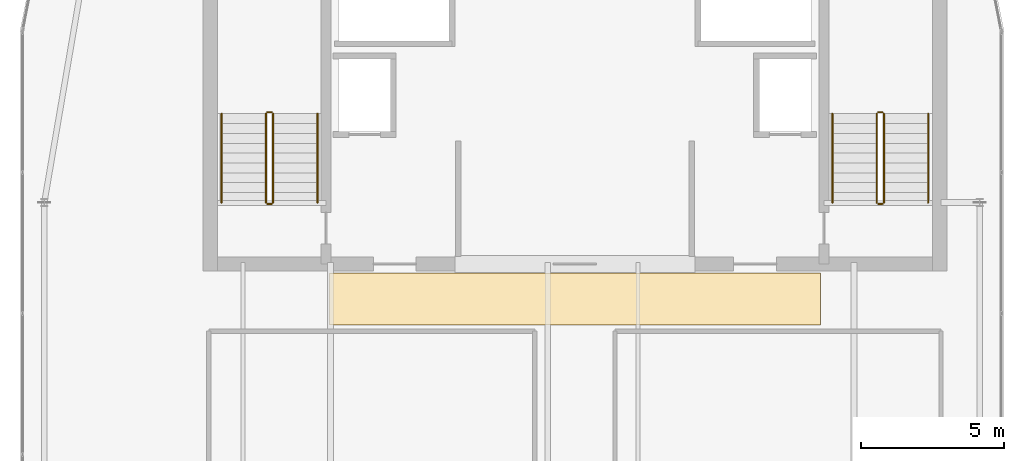
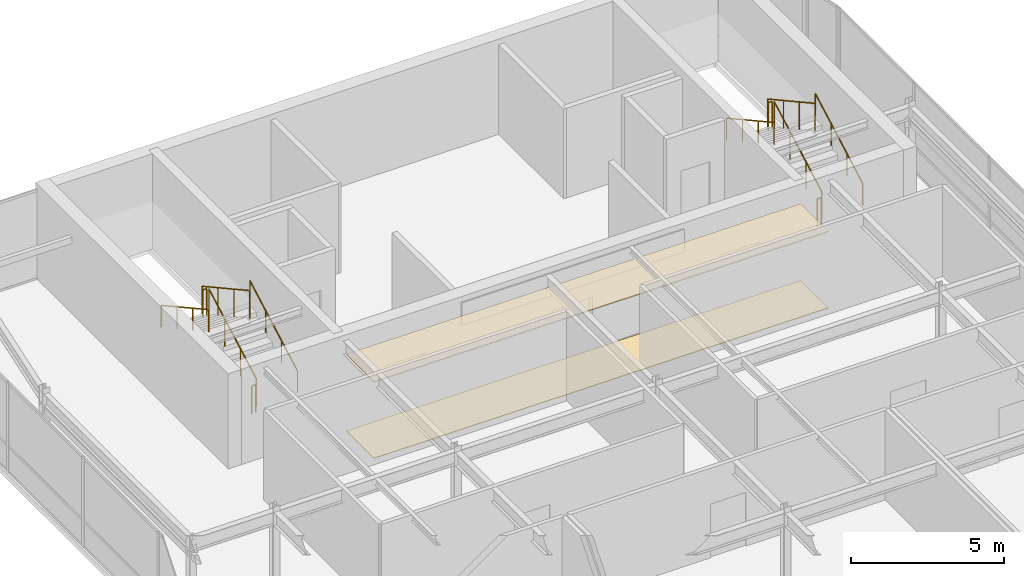
# One storey, part 36 of 36: 12 railings, 2 coverings.
"""IFC4 building model written with IfcOpenShell, lengths in metres."""

from ifc_helpers import new_model, si_unit, direction, frame, origin, origin_2d, place, context, subcontext, project, spatial, polyline, circle, outline, extrude, material, layer, layer_set, type_object, element, save


model = new_model("IFC4")

# Units and contexts
model_context = context("Model", 3, precision=1e-05, world=origin(), true_north=direction((0.0, 1.0)))
body_context = subcontext(model_context, "Body", "Model", "MODEL_VIEW")
ifc_project = project(units=[si_unit("LENGTHUNIT", "METRE"), si_unit("AREAUNIT", "SQUARE_METRE"), si_unit("VOLUMEUNIT", "CUBIC_METRE"), si_unit("PLANEANGLEUNIT", "RADIAN"), si_unit("MASSUNIT", "GRAM", prefix="KILO")], contexts=[model_context])

# Site, building, storey
site_placement = place(None, origin())
site = spatial("IfcSite", under=ifc_project, at=site_placement, CompositionType="ELEMENT")
building_placement = place(site_placement, origin())
building = spatial("IfcBuilding", under=site, at=building_placement, Name="Tolvann Quenvar Hotel", CompositionType="ELEMENT")
storey_placement = place(building_placement, frame((0.0, 0.0, 306.14990234375)))
storey = spatial("IfcBuildingStorey", under=building, at=storey_placement, Name="L81", CompositionType="ELEMENT", Elevation=306.14990234375)

# Coverings
ifc_material_1 = material(Name="Micro-perforated acoustic mineral-fibre and timber-batten suspended ceiling", Category="wood")
ifc_layer_1 = layer(ifc_material_1, 0.0400390625)
ifc_layer_set_1 = layer_set([ifc_layer_1], Name="Micro-perforated acoustic mineral-fibre and timber-batten suspended ceiling")
covering_type_1 = type_object("IfcCoveringType", Name="COV_CEIL_ACOUSTIC_40", PredefinedType="CEILING", material=ifc_layer_set_1)
covering_1_placement = place(storey_placement, frame((0.0, 0.0, 3.0400390625)))
element("IfcCovering", 1, at=covering_1_placement, inside=storey, type_object=covering_type_1, Name="Suspended Acoustic Ceiling (Upper Lantern Core Stair Vestibule L81)", PredefinedType="CEILING", context=body_context, shape_type="SweptSolid", body=[
    extrude(outline(polyline([(14.419921875, 29.719970703125), (31.580078125, 29.719970703125), (31.580078125, 31.530029296875), (14.419921875, 31.530029296875), (14.419921875, 29.719970703125)])), origin(), (0.0, 0.0, 1.0), 0.0400390625),
])
ifc_material_2 = material(Name="Honed Australian bluestone, terrazzo and engineered oak flooring", Category="masonry")
ifc_layer_2 = layer(ifc_material_2, 0.02001953125)
ifc_layer_set_2 = layer_set([ifc_layer_2], Name="Honed Australian bluestone, terrazzo and engineered oak flooring")
covering_type_2 = type_object("IfcCoveringType", Name="COV_FLOOR_STONE_20", PredefinedType="FLOORING", material=ifc_layer_set_2)
covering_2_placement = place(storey_placement, origin())
element("IfcCovering", 2, at=covering_2_placement, inside=storey, type_object=covering_type_2, Name="Architectural Floor Finish (Upper Lantern Core Stair Vestibule L81)", PredefinedType="FLOORING", context=body_context, shape_type="SweptSolid", body=[
    extrude(outline(polyline([(14.419921875, 29.719970703125), (31.580078125, 29.719970703125), (31.580078125, 31.530029296875), (14.419921875, 31.530029296875), (14.419921875, 29.719970703125)])), origin(), (0.0, 0.0, 1.0), 0.02001953125),
])

# Railings
ifc_material_3 = material(Name="Brushed 316 stainless steel balustrade and handrail", Category="steel")
railing_type_1 = type_object("IfcRailingType", Name="GUARDRAIL", PredefinedType="GUARDRAIL", material=ifc_material_3)
railing_1_placement = place(storey_placement, frame((12.449951171875, 34.0, 0.190185546875)))
element("IfcRailing", 3, at=railing_1_placement, inside=storey, type_object=railing_type_1, Name="L81 ST-C1 stair guard 1", PredefinedType="GUARDRAIL", context=body_context, shape_type="SweptSolid", body=[
    extrude(circle(Radius=0.02392578125, at=origin_2d()), frame((0.0, 0.0, 1.09619140625), z_axis=(0.0, 0.875951117098, 0.482399876093), x_axis=(-1.0, 0.0, 0.0)), (0.0, 0.0, 1.0), 3.544677734375),
    extrude(circle(Radius=0.02099609375, at=origin_2d()), origin(), (0.0, 0.0, 1.0), 1.072021484375),
    extrude(circle(Radius=0.02099609375, at=origin_2d()), frame((0.0, 1.034912109375, 0.570068359375)), (0.0, 0.0, 1.0), 1.072021484375),
    extrude(circle(Radius=0.02099609375, at=origin_2d()), frame((0.0, 2.070068359375, 1.139892578125)), (0.0, 0.0, 1.0), 1.072021484375),
    extrude(circle(Radius=0.02099609375, at=origin_2d()), frame((0.0, 3.10498046875, 1.7099609375)), (0.0, 0.0, 1.0), 1.072021484375),
])
railing_2_placement = place(storey_placement, frame((12.39990234375, 37.155029296875, 1.900146484375)))
element("IfcRailing", 4, at=railing_2_placement, inside=storey, type_object=railing_type_1, Name="L81 ST-C1 stair guard 2", PredefinedType="GUARDRAIL", context=body_context, shape_type="SweptSolid", body=[
    extrude(circle(Radius=0.02392578125, at=origin_2d()), frame((0.0, 0.0, 1.09619140625), z_axis=(-1.0, 0.0, 0.0), x_axis=(0.0, -1.0, 0.0)), (0.0, 0.0, 1.0), 0.14990234375),
    extrude(circle(Radius=0.02099609375, at=origin_2d()), origin(), (0.0, 0.0, 1.0), 1.072021484375),
    extrude(circle(Radius=0.02099609375, at=origin_2d()), frame((-0.14990234375, 0.0, 0.0)), (0.0, 0.0, 1.0), 1.072021484375),
])
railing_3_placement = place(storey_placement, frame((12.199951171875, 37.10498046875, 2.090087890625)))
element("IfcRailing", 5, at=railing_3_placement, inside=storey, type_object=railing_type_1, Name="L81 ST-C1 stair guard 3", PredefinedType="GUARDRAIL", context=body_context, shape_type="SweptSolid", body=[
    extrude(circle(Radius=0.02392578125, at=origin_2d()), frame((0.0, 0.0, 1.09619140625), z_axis=(0.0, -0.875951117098, 0.482399876093), x_axis=(1.0, 0.0, 0.0)), (0.0, 0.0, 1.0), 3.544677734375),
    extrude(circle(Radius=0.02099609375, at=origin_2d()), origin(), (0.0, 0.0, 1.0), 1.072021484375),
    extrude(circle(Radius=0.02099609375, at=origin_2d()), frame((0.0, -1.034912109375, 0.570068359375)), (0.0, 0.0, 1.0), 1.072021484375),
    extrude(circle(Radius=0.02099609375, at=origin_2d()), frame((0.0, -2.070068359375, 1.139892578125)), (0.0, 0.0, 1.0), 1.072021484375),
    extrude(circle(Radius=0.02099609375, at=origin_2d()), frame((0.0, -3.10498046875, 1.7099609375)), (0.0, 0.0, 1.0), 1.072021484375),
])
railing_4_placement = place(storey_placement, frame((12.39990234375, 33.949951171875, 0.0)))
element("IfcRailing", 6, at=railing_4_placement, inside=storey, type_object=railing_type_1, Name="L81 ST-C1 stair guard 4", PredefinedType="GUARDRAIL", context=body_context, shape_type="SweptSolid", body=[
    extrude(circle(Radius=0.02392578125, at=origin_2d()), frame((0.0, 0.0, 1.09619140625), z_axis=(-1.0, 0.0, 0.0), x_axis=(0.0, -1.0, 0.0)), (0.0, 0.0, 1.0), 0.14990234375),
    extrude(circle(Radius=0.02099609375, at=origin_2d()), origin(), (0.0, 0.0, 1.0), 1.072021484375),
    extrude(circle(Radius=0.02099609375, at=origin_2d()), frame((-0.14990234375, 0.0, 0.0)), (0.0, 0.0, 1.0), 1.072021484375),
])
railing_5_placement = place(storey_placement, frame((33.800048828125, 34.0, 0.190185546875)))
element("IfcRailing", 7, at=railing_5_placement, inside=storey, type_object=railing_type_1, Name="L81 ST-C2 stair guard 1", PredefinedType="GUARDRAIL", context=body_context, shape_type="SweptSolid", body=[
    extrude(circle(Radius=0.02392578125, at=origin_2d()), frame((0.0, 0.0, 1.09619140625), z_axis=(0.0, 0.875951117098, 0.482399876093), x_axis=(-1.0, 0.0, 0.0)), (0.0, 0.0, 1.0), 3.544677734375),
    extrude(circle(Radius=0.02099609375, at=origin_2d()), origin(), (0.0, 0.0, 1.0), 1.072021484375),
    extrude(circle(Radius=0.02099609375, at=origin_2d()), frame((0.0, 1.034912109375, 0.570068359375)), (0.0, 0.0, 1.0), 1.072021484375),
    extrude(circle(Radius=0.02099609375, at=origin_2d()), frame((0.0, 2.070068359375, 1.139892578125)), (0.0, 0.0, 1.0), 1.072021484375),
    extrude(circle(Radius=0.02099609375, at=origin_2d()), frame((0.0, 3.10498046875, 1.7099609375)), (0.0, 0.0, 1.0), 1.072021484375),
])
railing_6_placement = place(storey_placement, frame((33.75, 37.155029296875, 1.900146484375)))
element("IfcRailing", 8, at=railing_6_placement, inside=storey, type_object=railing_type_1, Name="L81 ST-C2 stair guard 2", PredefinedType="GUARDRAIL", context=body_context, shape_type="SweptSolid", body=[
    extrude(circle(Radius=0.02392578125, at=origin_2d()), frame((0.0, 0.0, 1.09619140625), z_axis=(-1.0, 0.0, 0.0), x_axis=(0.0, -1.0, 0.0)), (0.0, 0.0, 1.0), 0.14990234375),
    extrude(circle(Radius=0.02099609375, at=origin_2d()), origin(), (0.0, 0.0, 1.0), 1.072021484375),
    extrude(circle(Radius=0.02099609375, at=origin_2d()), frame((-0.14990234375, 0.0, 0.0)), (0.0, 0.0, 1.0), 1.072021484375),
])
railing_7_placement = place(storey_placement, frame((33.550048828125, 37.10498046875, 2.090087890625)))
element("IfcRailing", 9, at=railing_7_placement, inside=storey, type_object=railing_type_1, Name="L81 ST-C2 stair guard 3", PredefinedType="GUARDRAIL", context=body_context, shape_type="SweptSolid", body=[
    extrude(circle(Radius=0.02392578125, at=origin_2d()), frame((0.0, 0.0, 1.09619140625), z_axis=(0.0, -0.875951117098, 0.482399876093), x_axis=(1.0, 0.0, 0.0)), (0.0, 0.0, 1.0), 3.544677734375),
    extrude(circle(Radius=0.02099609375, at=origin_2d()), origin(), (0.0, 0.0, 1.0), 1.072021484375),
    extrude(circle(Radius=0.02099609375, at=origin_2d()), frame((0.0, -1.034912109375, 0.570068359375)), (0.0, 0.0, 1.0), 1.072021484375),
    extrude(circle(Radius=0.02099609375, at=origin_2d()), frame((0.0, -2.070068359375, 1.139892578125)), (0.0, 0.0, 1.0), 1.072021484375),
    extrude(circle(Radius=0.02099609375, at=origin_2d()), frame((0.0, -3.10498046875, 1.7099609375)), (0.0, 0.0, 1.0), 1.072021484375),
])
railing_8_placement = place(storey_placement, frame((33.75, 33.949951171875, 0.0)))
element("IfcRailing", 10, at=railing_8_placement, inside=storey, type_object=railing_type_1, Name="L81 ST-C2 stair guard 4", PredefinedType="GUARDRAIL", context=body_context, shape_type="SweptSolid", body=[
    extrude(circle(Radius=0.02392578125, at=origin_2d()), frame((0.0, 0.0, 1.09619140625), z_axis=(-1.0, 0.0, 0.0), x_axis=(0.0, -1.0, 0.0)), (0.0, 0.0, 1.0), 0.14990234375),
    extrude(circle(Radius=0.02099609375, at=origin_2d()), origin(), (0.0, 0.0, 1.0), 1.072021484375),
    extrude(circle(Radius=0.02099609375, at=origin_2d()), frame((-0.14990234375, 0.0, 0.0)), (0.0, 0.0, 1.0), 1.072021484375),
])
railing_type_2 = type_object("IfcRailingType", Name="HANDRAIL", PredefinedType="HANDRAIL", material=ifc_material_3)
railing_9_placement = place(storey_placement, frame((14.0, 34.0, 0.190185546875)))
element("IfcRailing", 11, at=railing_9_placement, inside=storey, type_object=railing_type_2, Name="L81 ST-C1 stair handrail 1", PredefinedType="HANDRAIL", context=body_context, shape_type="SweptSolid", body=[
    extrude(circle(Radius=0.02392578125, at=origin_2d()), frame((0.0, 0.0, 0.8759765625), z_axis=(0.0, 0.875951117098, 0.482399876093), x_axis=(-1.0, 0.0, 0.0)), (0.0, 0.0, 1.0), 3.544677734375),
    extrude(circle(Radius=0.02099609375, at=origin_2d()), origin(), (0.0, 0.0, 1.0), 0.851806640625),
    extrude(circle(Radius=0.02099609375, at=origin_2d()), frame((0.0, 1.034912109375, 0.570068359375)), (0.0, 0.0, 1.0), 0.851806640625),
    extrude(circle(Radius=0.02099609375, at=origin_2d()), frame((0.0, 2.070068359375, 1.139892578125)), (0.0, 0.0, 1.0), 0.851806640625),
    extrude(circle(Radius=0.02099609375, at=origin_2d()), frame((0.0, 3.10498046875, 1.7099609375)), (0.0, 0.0, 1.0), 0.851806640625),
])
railing_10_placement = place(storey_placement, frame((10.64990234375, 37.10498046875, 2.090087890625)))
element("IfcRailing", 12, at=railing_10_placement, inside=storey, type_object=railing_type_2, Name="L81 ST-C1 stair handrail 2", PredefinedType="HANDRAIL", context=body_context, shape_type="SweptSolid", body=[
    extrude(circle(Radius=0.02392578125, at=origin_2d()), frame((0.0, 0.0, 0.8759765625), z_axis=(0.0, -0.875951117098, 0.482399876093), x_axis=(1.0, 0.0, 0.0)), (0.0, 0.0, 1.0), 3.544677734375),
    extrude(circle(Radius=0.02099609375, at=origin_2d()), origin(), (0.0, 0.0, 1.0), 0.851806640625),
    extrude(circle(Radius=0.02099609375, at=origin_2d()), frame((0.0, -1.034912109375, 0.570068359375)), (0.0, 0.0, 1.0), 0.851806640625),
    extrude(circle(Radius=0.02099609375, at=origin_2d()), frame((0.0, -2.070068359375, 1.139892578125)), (0.0, 0.0, 1.0), 0.851806640625),
    extrude(circle(Radius=0.02099609375, at=origin_2d()), frame((0.0, -3.10498046875, 1.7099609375)), (0.0, 0.0, 1.0), 0.851806640625),
])
railing_11_placement = place(storey_placement, frame((35.35009765625, 34.0, 0.190185546875)))
element("IfcRailing", 13, at=railing_11_placement, inside=storey, type_object=railing_type_2, Name="L81 ST-C2 stair handrail 1", PredefinedType="HANDRAIL", context=body_context, shape_type="SweptSolid", body=[
    extrude(circle(Radius=0.02392578125, at=origin_2d()), frame((0.0, 0.0, 0.8759765625), z_axis=(0.0, 0.875951117098, 0.482399876093), x_axis=(-1.0, 0.0, 0.0)), (0.0, 0.0, 1.0), 3.544677734375),
    extrude(circle(Radius=0.02099609375, at=origin_2d()), origin(), (0.0, 0.0, 1.0), 0.851806640625),
    extrude(circle(Radius=0.02099609375, at=origin_2d()), frame((0.0, 1.034912109375, 0.570068359375)), (0.0, 0.0, 1.0), 0.851806640625),
    extrude(circle(Radius=0.02099609375, at=origin_2d()), frame((0.0, 2.070068359375, 1.139892578125)), (0.0, 0.0, 1.0), 0.851806640625),
    extrude(circle(Radius=0.02099609375, at=origin_2d()), frame((0.0, 3.10498046875, 1.7099609375)), (0.0, 0.0, 1.0), 0.851806640625),
])
railing_12_placement = place(storey_placement, frame((32.0, 37.10498046875, 2.090087890625)))
element("IfcRailing", 14, at=railing_12_placement, inside=storey, type_object=railing_type_2, Name="L81 ST-C2 stair handrail 2", PredefinedType="HANDRAIL", context=body_context, shape_type="SweptSolid", body=[
    extrude(circle(Radius=0.02392578125, at=origin_2d()), frame((0.0, 0.0, 0.8759765625), z_axis=(0.0, -0.875951117098, 0.482399876093), x_axis=(1.0, 0.0, 0.0)), (0.0, 0.0, 1.0), 3.544677734375),
    extrude(circle(Radius=0.02099609375, at=origin_2d()), origin(), (0.0, 0.0, 1.0), 0.851806640625),
    extrude(circle(Radius=0.02099609375, at=origin_2d()), frame((0.0, -1.034912109375, 0.570068359375)), (0.0, 0.0, 1.0), 0.851806640625),
    extrude(circle(Radius=0.02099609375, at=origin_2d()), frame((0.0, -2.070068359375, 1.139892578125)), (0.0, 0.0, 1.0), 0.851806640625),
    extrude(circle(Radius=0.02099609375, at=origin_2d()), frame((0.0, -3.10498046875, 1.7099609375)), (0.0, 0.0, 1.0), 0.851806640625),
])

save(model, "model.ifc")
